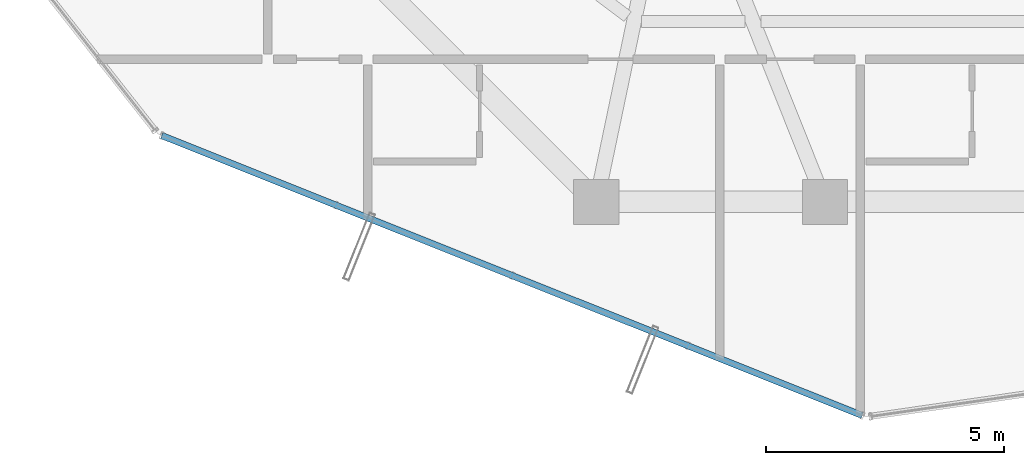
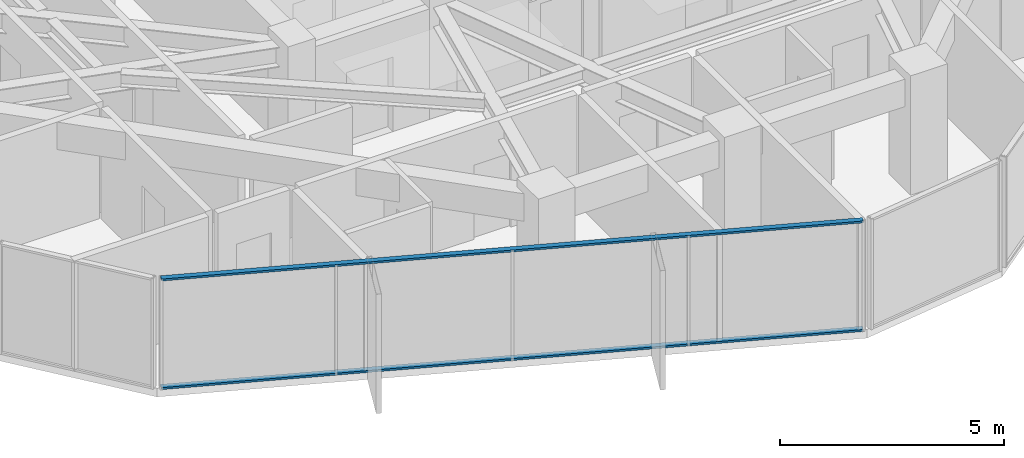
# One storey, part 3 of 31: 2 members, 1 element without a shape of its own.
"""IFC4 building model written with IfcOpenShell, lengths in metres."""

from ifc_helpers import new_model, si_unit, direction, frame, origin, origin_2d, place, context, subcontext, project, spatial, hollow_rectangle, extrude, source, transform, mapped, material, layer, layer_set, material_profile, profile_set, type_object, element, aggregate, save


model = new_model("IFC4")

# Units and contexts
model_context = context("Model", 3, precision=1e-05, world=origin(), true_north=direction((0.0, 1.0)))
body_context = subcontext(model_context, "Body", "Model", "MODEL_VIEW")
ifc_project = project(units=[si_unit("LENGTHUNIT", "METRE"), si_unit("AREAUNIT", "SQUARE_METRE"), si_unit("VOLUMEUNIT", "CUBIC_METRE"), si_unit("PLANEANGLEUNIT", "RADIAN"), si_unit("MASSUNIT", "GRAM", prefix="KILO")], contexts=[model_context])

# Site, building, storey
site_placement = place(None, origin())
site = spatial("IfcSite", under=ifc_project, at=site_placement, CompositionType="ELEMENT")
building_placement = place(site_placement, origin())
building = spatial("IfcBuilding", under=site, at=building_placement, Name="Veraguas Prism Commons", CompositionType="ELEMENT")
storey_placement = place(building_placement, frame((0.0, 0.0, 178.85009765625)))
storey = spatial("IfcBuildingStorey", under=building, at=storey_placement, Name="L50", CompositionType="ELEMENT", Elevation=178.85009765625)

# Curtain wall, members
ifc_material = material(Name="Anodised aluminium EN AW-6063 T6", Category="aluminium")
ifc_layer = layer(ifc_material, 0.14990234375, Name="Unitised Flush Curtain Wall Zone 3", Category="aluminium")
ifc_layer_set = layer_set([ifc_layer], Name="Anodised aluminium EN AW-6063 T6")
curtain_wall_type = type_object("IfcCurtainWallType", Name="Unitised Flush Curtain Wall Zone 3", PredefinedType="NOTDEFINED", material=ifc_layer_set)
curtain_wall_placement = place(storey_placement, origin())
curtain_wall = element("IfcCurtainWall", 1, at=curtain_wall_placement, inside=storey, type_object=curtain_wall_type, Name="Tower Facade Curtain Wall L50-F4", PredefinedType="NOTDEFINED")
ifc_material_profile = material_profile(ifc_material, hollow_rectangle(XDim=0.054931640625, YDim=0.135009765625, WallThickness=0.0029296875, at=origin_2d()), Name="AL55X135X3")
ifc_profile_set = profile_set([ifc_material_profile], Name="Anodised aluminium EN AW-6063 T6")
member_type = type_object("IfcMemberType", Name="Curtain Wall Transom Standard AL 55x135x3", PredefinedType="USERDEFINED", material=ifc_profile_set)
shared_shape = source(origin(), body_context, "Body", "SweptSolid", [
    extrude(hollow_rectangle(XDim=0.054931640625, YDim=0.135009765625, WallThickness=0.0029296875, at=origin_2d()), origin(), (0.0, 0.0, 1.0), 15.84228515625),
])
member_1_placement = place(storey_placement, frame((10.072998046875, 10.4931640625, 0.02734375), z_axis=(0.928615853031, -0.371042581789, 0.0), x_axis=(0.0, 0.0, 1.0)))
member_1 = element("IfcMember", 2, at=member_1_placement, type_object=member_type, Name="CW-Z3 Transom 1", ObjectType="TRANSOM", PredefinedType="USERDEFINED", context=body_context, shape_type="MappedRepresentation", body=[
    mapped(shared_shape, transform((0.0, 0.0, 0.0), scale=1.0)),
])
member_2_placement = place(storey_placement, frame((10.072998046875, 10.4931640625, 2.9873046875), z_axis=(0.928615853031, -0.371042581789, 0.0), x_axis=(0.0, 0.0, 1.0)))
member_2 = element("IfcMember", 3, at=member_2_placement, type_object=member_type, Name="CW-Z3 Transom 2", ObjectType="TRANSOM", PredefinedType="USERDEFINED", context=body_context, shape_type="MappedRepresentation", body=[
    mapped(shared_shape, transform((0.0, 0.0, 0.0), scale=1.0)),
])
aggregate(curtain_wall, [member_1, member_2])

save(model, "model.ifc")
